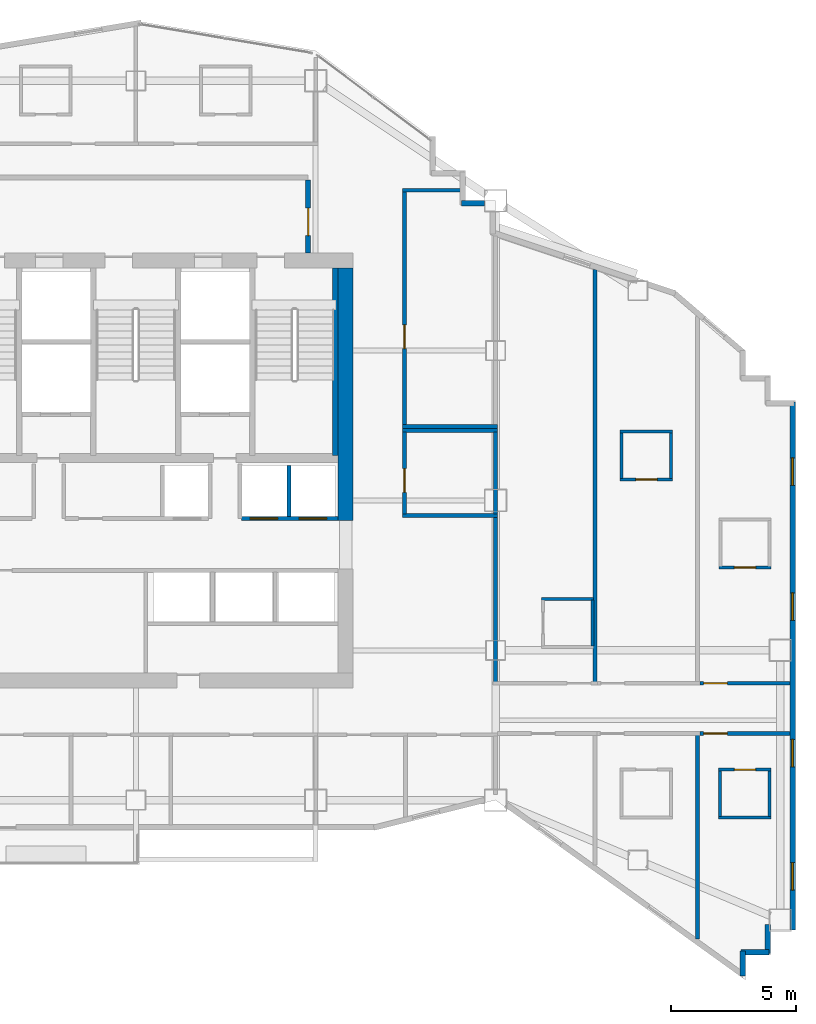
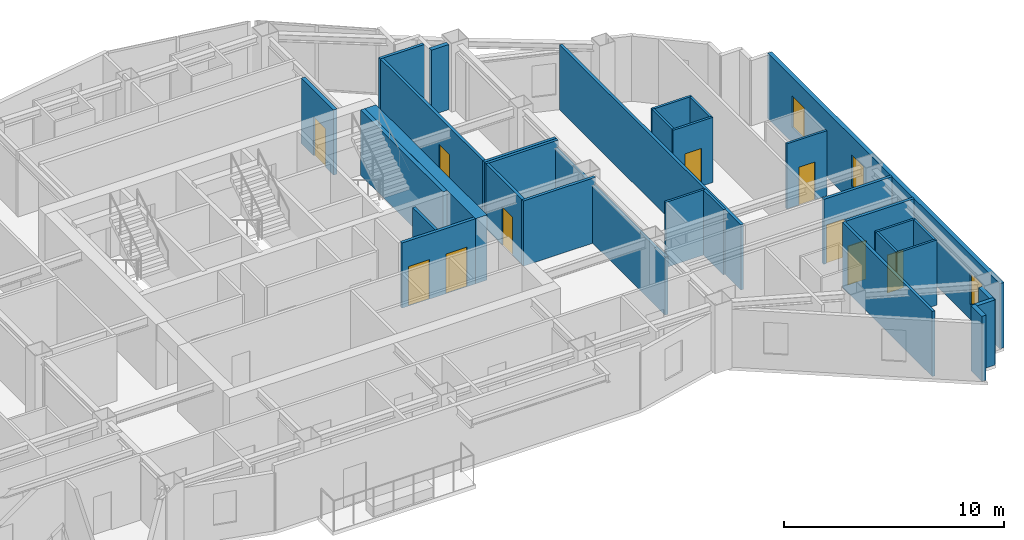
# One storey, part 8 of 12: 33 walls, 10 doors, 4 windows, 14 openings.
"""IFC4 building model written with IfcOpenShell, lengths in metres."""

from ifc_helpers import new_model, si_unit, direction, frame, frame_2d, origin, place, context, subcontext, project, spatial, rectangle, extrude, material, layer, layer_set, type_object, element, fill, save


model = new_model("IFC4")

# Units and contexts
model_context = context("Model", 3, precision=1e-05, world=origin(), true_north=direction((0.0, 1.0)))
body_context = subcontext(model_context, "Body", "Model", "MODEL_VIEW")
ifc_project = project(units=[si_unit("LENGTHUNIT", "METRE"), si_unit("AREAUNIT", "SQUARE_METRE"), si_unit("VOLUMEUNIT", "CUBIC_METRE"), si_unit("PLANEANGLEUNIT", "RADIAN"), si_unit("MASSUNIT", "GRAM", prefix="KILO")], contexts=[model_context])

# Site, building, storey
site_placement = place(None, origin())
site = spatial("IfcSite", under=ifc_project, at=site_placement, CompositionType="ELEMENT")
building_placement = place(site_placement, origin())
building = spatial("IfcBuilding", under=site, at=building_placement, Name="Haolan Belvedere Tower", CompositionType="ELEMENT")
storey_placement = place(building_placement, frame((0.0, 0.0, 195.60009765625)))
storey = spatial("IfcBuildingStorey", under=building, at=storey_placement, Name="L49", CompositionType="ELEMENT", Elevation=195.60009765625)

# Walls
ifc_material_1 = material(Name="Concrete C60/75", Category="concrete")
ifc_layer_1 = layer(ifc_material_1, 0.60009765625, Name="Concrete C60/75")
ifc_layer_set_1 = layer_set([ifc_layer_1], Name="Concrete C60/75")
wall_type_1 = type_object("IfcWallType", Name="WL-CORE-600", PredefinedType="SHEAR", material=ifc_layer_set_1)
wall_1_placement = place(storey_placement, frame((46.800048828125, 32.800048828125, 0.0), z_axis=(0.0, 0.0, 1.0), x_axis=(0.0, 1.0, 0.0)))
element("IfcWall", 1, at=wall_1_placement, inside=storey, type_object=wall_type_1, Name="L49 central core shear wall EN", PredefinedType="SHEAR", context=body_context, shape_type="SweptSolid", body=[
    extrude(rectangle(XDim=10.099853515625, YDim=0.60009765625, at=frame_2d((5.0498046875, 0.0))), origin(), (0.0, 0.0, 1.0), 3.619873046875),
])
ifc_material_2 = material(Name="Precast concrete C40/50", Category="concrete")
ifc_layer_2 = layer(ifc_material_2, 0.219970703125, Name="Precast concrete C40/50")
ifc_layer_set_2 = layer_set([ifc_layer_2], Name="Precast concrete C40/50")
wall_type_2 = type_object("IfcWallType", Name="WL-EXT-220", PredefinedType="SOLIDWALL", material=ifc_layer_set_2)
wall_2_placement = place(storey_placement, frame((62.68994140625, 14.559814453125, 0.0), z_axis=(0.0, 0.0, 1.0), x_axis=(0.0, 1.0, 0.0)))
element("IfcWall", 2, at=wall_2_placement, inside=storey, type_object=wall_type_2, Name="L49 pale-metal exterior spandrel wall 4.1", PredefinedType="SOLIDWALL", context=body_context, shape_type="SweptSolid", body=[
    extrude(rectangle(XDim=1.005126953125, YDim=0.219970703125, at=frame_2d((0.50244140625, 0.0))), origin(), (0.0, 0.0, 1.0), 3.619873046875),
])
wall_3_placement = place(storey_placement, frame((62.635009765625, 15.510009765625, 0.0), z_axis=(0.0, 0.0, 1.0), x_axis=(1.0, 0.0, 0.0)))
element("IfcWall", 3, at=wall_3_placement, inside=storey, type_object=wall_type_2, Name="L49 pale-metal exterior spandrel wall 5.1", PredefinedType="SOLIDWALL", context=body_context, shape_type="SweptSolid", body=[
    extrude(rectangle(XDim=1.110107421875, YDim=0.219970703125, at=frame_2d((0.55517578125, 0.0))), origin(), (0.0, 0.0, 1.0), 3.619873046875),
])
wall_4_placement = place(storey_placement, frame((63.68994140625, 15.455078125, 0.0), z_axis=(0.0, 0.0, 1.0), x_axis=(0.0, 1.0, 0.0)))
element("IfcWall", 4, at=wall_4_placement, inside=storey, type_object=wall_type_2, Name="L49 pale-metal exterior spandrel wall 6.1", PredefinedType="SOLIDWALL", context=body_context, shape_type="SweptSolid", body=[
    extrude(rectangle(XDim=1.1650390625, YDim=0.219970703125, at=frame_2d((0.58251953125, 0.0))), origin(), (0.0, 0.0, 1.0), 3.619873046875),
])

# Wall, openings, windows
wall_5_placement = place(storey_placement, frame((64.68994140625, 16.39990234375, 0.0), z_axis=(0.0, 0.0, 1.0), x_axis=(0.0, 1.0, 0.0)))
wall_5 = element("IfcWall", 5, at=wall_5_placement, inside=storey, type_object=wall_type_2, Name="L49 pale-metal exterior spandrel wall 8.1", PredefinedType="SOLIDWALL", context=body_context, shape_type="SweptSolid", body=[
    extrude(rectangle(XDim=21.14501953125, YDim=0.219970703125, at=frame_2d((10.572509765625, 0.0))), origin(), (0.0, 0.0, 1.0), 3.619873046875),
])
opening_1_placement = place(wall_5_placement, frame((1.60009765625, 0.0, 0.85009765625)))
opening_1 = element("IfcOpeningElement", 6, at=opening_1_placement, cuts=wall_5, Name="Opening W-03", PredefinedType="OPENING", context=body_context, shape_type="SweptSolid", body=[
    extrude(rectangle(XDim=1.10009765625, YDim=1.75, at=frame_2d((0.550048828125, 0.875))), frame((0.0, 0.119873046875, 0.0), z_axis=(0.0, -1.0, 0.0), x_axis=(1.0, 0.0, 0.0)), (0.0, 0.0, 1.0), 0.239990234375),
])
opening_2_placement = place(wall_5_placement, frame((6.534912109375, 0.0, 0.85009765625)))
opening_2 = element("IfcOpeningElement", 7, at=opening_2_placement, cuts=wall_5, Name="Opening W-03", PredefinedType="OPENING", context=body_context, shape_type="SweptSolid", body=[
    extrude(rectangle(XDim=1.10009765625, YDim=1.75, at=frame_2d((0.550048828125, 0.875))), frame((0.0, 0.119873046875, 0.0), z_axis=(0.0, -1.0, 0.0), x_axis=(1.0, 0.0, 0.0)), (0.0, 0.0, 1.0), 0.239990234375),
])
opening_3_placement = place(wall_5_placement, frame((12.39990234375, 0.0, 0.85009765625)))
opening_3 = element("IfcOpeningElement", 8, at=opening_3_placement, cuts=wall_5, Name="Opening W-03", PredefinedType="OPENING", context=body_context, shape_type="SweptSolid", body=[
    extrude(rectangle(XDim=1.10009765625, YDim=1.75, at=frame_2d((0.550048828125, 0.875))), frame((0.0, 0.119873046875, 0.0), z_axis=(0.0, -1.0, 0.0), x_axis=(1.0, 0.0, 0.0)), (0.0, 0.0, 1.0), 0.239990234375),
])
opening_4_placement = place(wall_5_placement, frame((17.800048828125, 0.0, 0.85009765625)))
opening_4 = element("IfcOpeningElement", 9, at=opening_4_placement, cuts=wall_5, Name="Opening W-03", PredefinedType="OPENING", context=body_context, shape_type="SweptSolid", body=[
    extrude(rectangle(XDim=1.10009765625, YDim=1.75, at=frame_2d((0.550048828125, 0.875))), frame((0.0, 0.119873046875, 0.0), z_axis=(0.0, -1.0, 0.0), x_axis=(1.0, 0.0, 0.0)), (0.0, 0.0, 1.0), 0.239990234375),
])
ifc_material_3 = material(Name="Anodised aluminium 6063-T6 and Low-E glass", Category="aluminium")
window_type = type_object("IfcWindowType", Name="WN-DECO-Z3", PartitioningType="SINGLE_PANEL", PredefinedType="WINDOW", material=ifc_material_3)
window_1_placement = place(opening_1_placement, origin())
window_1 = element("IfcWindow", 10, at=window_1_placement, inside=storey, type_object=window_type, Name="L49 Art Deco chevron window 1", OverallHeight=1.75, OverallWidth=1.10009765625, PartitioningType="SINGLE_PANEL", PredefinedType="WINDOW", context=body_context, shape_type="SweptSolid", body=[
    extrude(rectangle(XDim=1.10009765625, YDim=1.75, at=frame_2d((0.550048828125, 0.875))), frame((0.0, 0.030029296875, 0.0), z_axis=(0.0, -1.0, 0.0), x_axis=(1.0, 0.0, 0.0)), (0.0, 0.0, 1.0), 0.06005859375),
])
fill(opening_1, window_1)
window_2_placement = place(opening_2_placement, origin())
window_2 = element("IfcWindow", 11, at=window_2_placement, inside=storey, type_object=window_type, Name="L49 Art Deco chevron window 2", OverallHeight=1.75, OverallWidth=1.10009765625, PartitioningType="SINGLE_PANEL", PredefinedType="WINDOW", context=body_context, shape_type="SweptSolid", body=[
    extrude(rectangle(XDim=1.10009765625, YDim=1.75, at=frame_2d((0.550048828125, 0.875))), frame((0.0, 0.030029296875, 0.0), z_axis=(0.0, -1.0, 0.0), x_axis=(1.0, 0.0, 0.0)), (0.0, 0.0, 1.0), 0.06005859375),
])
fill(opening_2, window_2)
window_3_placement = place(opening_3_placement, origin())
window_3 = element("IfcWindow", 12, at=window_3_placement, inside=storey, type_object=window_type, Name="L49 Art Deco chevron window 3", OverallHeight=1.75, OverallWidth=1.10009765625, PartitioningType="SINGLE_PANEL", PredefinedType="WINDOW", context=body_context, shape_type="SweptSolid", body=[
    extrude(rectangle(XDim=1.10009765625, YDim=1.75, at=frame_2d((0.550048828125, 0.875))), frame((0.0, 0.030029296875, 0.0), z_axis=(0.0, -1.0, 0.0), x_axis=(1.0, 0.0, 0.0)), (0.0, 0.0, 1.0), 0.06005859375),
])
fill(opening_3, window_3)
window_4_placement = place(opening_4_placement, origin())
window_4 = element("IfcWindow", 13, at=window_4_placement, inside=storey, type_object=window_type, Name="L49 Art Deco chevron window 4", OverallHeight=1.75, OverallWidth=1.10009765625, PartitioningType="SINGLE_PANEL", PredefinedType="WINDOW", context=body_context, shape_type="SweptSolid", body=[
    extrude(rectangle(XDim=1.10009765625, YDim=1.75, at=frame_2d((0.550048828125, 0.875))), frame((0.0, 0.030029296875, 0.0), z_axis=(0.0, -1.0, 0.0), x_axis=(1.0, 0.0, 0.0)), (0.0, 0.0, 1.0), 0.06005859375),
])
fill(opening_4, window_4)

# Wall
wall_6_placement = place(storey_placement, frame((52.35791015625, 45.489990234375, 0.0), z_axis=(0.0, 0.0, 1.0), x_axis=(-1.0, 0.0, 0.0)))
element("IfcWall", 14, at=wall_6_placement, inside=storey, type_object=wall_type_2, Name="L49 pale-metal exterior spandrel wall 16.1", PredefinedType="SOLIDWALL", context=body_context, shape_type="SweptSolid", body=[
    extrude(rectangle(XDim=0.9228515625, YDim=0.219970703125, at=frame_2d((0.46142578125, 0.0))), origin(), (0.0, 0.0, 1.0), 3.619873046875),
])

# Wall, opening, door
ifc_material_4 = material(Name="Concrete C40/50", Category="concrete")
ifc_layer_3 = layer(ifc_material_4, 0.199951171875, Name="Concrete C40/50")
ifc_layer_set_3 = layer_set([ifc_layer_3], Name="Concrete C40/50")
wall_type_3 = type_object("IfcWallType", Name="WL-FIRE-200", PredefinedType="SOLIDWALL", material=ifc_layer_set_3)
wall_7_placement = place(storey_placement, frame((45.300048828125, 43.5, 0.0), z_axis=(0.0, 0.0, 1.0), x_axis=(0.0, 1.0, 0.0)))
wall_7 = element("IfcWall", 15, at=wall_7_placement, inside=storey, type_object=wall_type_3, Name="L49 interior partition IW-L49-FFL-E", PredefinedType="SOLIDWALL", context=body_context, shape_type="SweptSolid", body=[
    extrude(rectangle(XDim=2.93505859375, YDim=0.199951171875, at=frame_2d((1.467529296875, 0.0))), origin(), (0.0, 0.0, 1.0), 3.619873046875),
])
opening_5_placement = place(wall_7_placement, frame((0.699951171875, 0.0, 0.0)))
opening_5 = element("IfcOpeningElement", 16, at=opening_5_placement, cuts=wall_7, Name="Opening FD-03", PredefinedType="OPENING", context=body_context, shape_type="SweptSolid", body=[
    extrude(rectangle(XDim=1.10009765625, YDim=2.14990234375, at=frame_2d((0.550048828125, 1.074951171875))), frame((0.0, 0.10986328125, 0.0), z_axis=(0.0, -1.0, 0.0), x_axis=(1.0, 0.0, 0.0)), (0.0, 0.0, 1.0), 0.219970703125),
])
ifc_material_5 = material(Name="Galvanised fire-rated steel", Category="steel")
door_type_1 = type_object("IfcDoorType", Name="DR-FD90-1100", OperationType="NOTDEFINED", PredefinedType="DOOR", material=ifc_material_5)
door_1_placement = place(opening_5_placement, origin())
door_1 = element("IfcDoor", 17, at=door_1_placement, inside=storey, type_object=door_type_1, Name="L49 door ID-L49-FFL-DE", OperationType="SINGLE_SWING_RIGHT", OverallHeight=2.14990234375, OverallWidth=1.10009765625, PredefinedType="DOOR", context=body_context, shape_type="SweptSolid", body=[
    extrude(rectangle(XDim=1.10009765625, YDim=2.14990234375, at=frame_2d((0.550048828125, 1.074951171875))), frame((0.0, 0.02490234375, 0.0), z_axis=(0.0, -1.0, 0.0), x_axis=(1.0, 0.0, 0.0)), (0.0, 0.0, 1.0), 0.050048828125),
])
fill(opening_5, door_1)

# Walls
ifc_material_6 = material(Name="Double gypsum acoustic stud partition", Category="masonry")
ifc_layer_4 = layer(ifc_material_6, 0.14990234375, Name="Double gypsum acoustic stud partition")
ifc_layer_set_4 = layer_set([ifc_layer_4], Name="Double gypsum acoustic stud partition")
wall_type_4 = type_object("IfcWallType", Name="WL-PART-150", PredefinedType="PARTITIONING", material=ifc_layer_set_4)
for number, where, z_axis, x_axis, name in (
    (18, (49.080078125, 36.39990234375, 0.0), (0.0, 0.0, 1.0), (1.0, 0.0, 0.0), "L49 interior partition IW-L49-AWC-N"),
    (19, (49.080078125, 33.0, 0.0), (0.0, 0.0, 1.0), (1.0, 0.0, 0.0), "L49 interior partition IW-L49-AWC-S"),
):
    element("IfcWall", number, at=place(storey_placement, frame(where, z_axis=z_axis, x_axis=x_axis)), inside=storey, type_object=wall_type_4, Name=name, PredefinedType="PARTITIONING", context=body_context, shape_type="SweptSolid", body=[
        extrude(rectangle(XDim=3.7998046875, YDim=0.14990234375, at=frame_2d((1.89990234375, 0.0))), origin(), (0.0, 0.0, 1.0), 3.619873046875),
    ])

# Wall, opening, door
wall_8_placement = place(storey_placement, frame((49.159912109375, 33.06005859375, 0.0), z_axis=(0.0, 0.0, 1.0), x_axis=(0.0, 1.0, 0.0)))
wall_8 = element("IfcWall", 20, at=wall_8_placement, inside=storey, type_object=wall_type_4, Name="L49 interior partition IW-L49-AWC-W", PredefinedType="PARTITIONING", context=body_context, shape_type="SweptSolid", body=[
    extrude(rectangle(XDim=3.280029296875, YDim=0.14990234375, at=frame_2d((1.64013671875, 0.0))), origin(), (0.0, 0.0, 1.0), 3.619873046875),
])
opening_6_placement = place(wall_8_placement, frame((0.860107421875, 0.0, 0.0)))
opening_6 = element("IfcOpeningElement", 21, at=opening_6_placement, cuts=wall_8, Name="Opening ID-03", PredefinedType="OPENING", context=body_context, shape_type="SweptSolid", body=[
    extrude(rectangle(XDim=0.949951171875, YDim=2.1201171875, at=frame_2d((0.47509765625, 1.06005859375))), frame((0.0, 0.0849609375, 0.0), z_axis=(0.0, -1.0, 0.0), x_axis=(1.0, 0.0, 0.0)), (0.0, 0.0, 1.0), 0.169921875),
])
ifc_material_7 = material(Name="Painted solid-core timber", Category="wood")
door_type_2 = type_object("IfcDoorType", Name="DR-INT-950", OperationType="NOTDEFINED", PredefinedType="DOOR", material=ifc_material_7)
door_2_placement = place(opening_6_placement, origin())
door_2 = element("IfcDoor", 22, at=door_2_placement, inside=storey, type_object=door_type_2, Name="L49 door ID-L49-AWC", OperationType="SINGLE_SWING_RIGHT", OverallHeight=2.1201171875, OverallWidth=0.949951171875, PredefinedType="DOOR", context=body_context, shape_type="SweptSolid", body=[
    extrude(rectangle(XDim=0.949951171875, YDim=2.1201171875, at=frame_2d((0.47509765625, 1.06005859375))), frame((0.0, 0.02490234375, 0.0), z_axis=(0.0, -1.0, 0.0), x_axis=(1.0, 0.0, 0.0)), (0.0, 0.0, 1.0), 0.050048828125),
])
fill(opening_6, door_2)

# Walls
wall_9_placement = place(storey_placement, frame((52.800048828125, 33.06005859375, 0.0), z_axis=(0.0, 0.0, 1.0), x_axis=(0.0, 1.0, 0.0)))
element("IfcWall", 23, at=wall_9_placement, inside=storey, type_object=wall_type_4, Name="L49 interior partition IW-L49-AWC-E", PredefinedType="PARTITIONING", context=body_context, shape_type="SweptSolid", body=[
    extrude(rectangle(XDim=3.280029296875, YDim=0.14990234375, at=frame_2d((1.64013671875, 0.0))), origin(), (0.0, 0.0, 1.0), 3.21484375),
])
wall_10_placement = place(storey_placement, frame((49.080078125, 46.02001953125, 0.0), z_axis=(0.0, 0.0, 1.0), x_axis=(1.0, 0.0, 0.0)))
element("IfcWall", 24, at=wall_10_placement, inside=storey, type_object=wall_type_4, Name="L49 interior partition IW-L49-SAL-N", PredefinedType="PARTITIONING", context=body_context, shape_type="SweptSolid", body=[
    extrude(rectangle(XDim=2.307861328125, YDim=0.14990234375, at=frame_2d((1.15380859375, 0.0))), origin(), (0.0, 0.0, 1.0), 3.619873046875),
])
wall_11_placement = place(storey_placement, frame((49.080078125, 36.56005859375, 0.0), z_axis=(0.0, 0.0, 1.0), x_axis=(1.0, 0.0, 0.0)))
element("IfcWall", 25, at=wall_11_placement, inside=storey, type_object=wall_type_4, Name="L49 interior partition IW-L49-SAL-S", PredefinedType="PARTITIONING", context=body_context, shape_type="SweptSolid", body=[
    extrude(rectangle(XDim=3.7998046875, YDim=0.14990234375, at=frame_2d((1.89990234375, 0.0))), origin(), (0.0, 0.0, 1.0), 3.619873046875),
])

# Wall, opening, door
wall_12_placement = place(storey_placement, frame((49.159912109375, 36.6201171875, 0.0), z_axis=(0.0, 0.0, 1.0), x_axis=(0.0, 1.0, 0.0)))
wall_12 = element("IfcWall", 26, at=wall_12_placement, inside=storey, type_object=wall_type_4, Name="L49 interior partition IW-L49-SAL-W", PredefinedType="PARTITIONING", context=body_context, shape_type="SweptSolid", body=[
    extrude(rectangle(XDim=9.33984375, YDim=0.14990234375, at=frame_2d((4.669921875, 0.0))), origin(), (0.0, 0.0, 1.0), 3.619873046875),
])
opening_7_placement = place(wall_12_placement, frame((3.06005859375, 0.0, 0.0)))
opening_7 = element("IfcOpeningElement", 27, at=opening_7_placement, cuts=wall_12, Name="Opening ID-03", PredefinedType="OPENING", context=body_context, shape_type="SweptSolid", body=[
    extrude(rectangle(XDim=0.949951171875, YDim=2.1201171875, at=frame_2d((0.47509765625, 1.06005859375))), frame((0.0, 0.0849609375, 0.0), z_axis=(0.0, -1.0, 0.0), x_axis=(1.0, 0.0, 0.0)), (0.0, 0.0, 1.0), 0.169921875),
])
door_3_placement = place(opening_7_placement, origin())
door_3 = element("IfcDoor", 28, at=door_3_placement, inside=storey, type_object=door_type_2, Name="L49 door ID-L49-SAL", OperationType="SINGLE_SWING_LEFT", OverallHeight=2.1201171875, OverallWidth=0.949951171875, PredefinedType="DOOR", context=body_context, shape_type="SweptSolid", body=[
    extrude(rectangle(XDim=0.949951171875, YDim=2.1201171875, at=frame_2d((0.47509765625, 1.06005859375))), frame((0.0, 0.02490234375, 0.0), z_axis=(0.0, -1.0, 0.0), x_axis=(1.0, 0.0, 0.0)), (0.0, 0.0, 1.0), 0.050048828125),
])
fill(opening_7, door_3)

# Walls
wall_13_placement = place(storey_placement, frame((52.800048828125, 26.340087890625, 0.0), z_axis=(0.0, 0.0, 1.0), x_axis=(0.0, 1.0, 0.0)))
element("IfcWall", 29, at=wall_13_placement, inside=storey, type_object=wall_type_4, Name="L49 interior partition IW-L49-T4N1-W", PredefinedType="PARTITIONING", context=body_context, shape_type="SweptSolid", body=[
    extrude(rectangle(XDim=6.599853515625, YDim=0.14990234375, at=frame_2d((3.2998046875, 0.0))), origin(), (0.0, 0.0, 1.0), 3.21484375),
])
wall_14_placement = place(storey_placement, frame((56.780029296875, 26.340087890625, 0.0), z_axis=(0.0, 0.0, 1.0), x_axis=(0.0, 1.0, 0.0)))
element("IfcWall", 30, at=wall_14_placement, inside=storey, type_object=wall_type_4, Name="L49 interior partition IW-L49-T4N1-E", PredefinedType="PARTITIONING", context=body_context, shape_type="SweptSolid", body=[
    extrude(rectangle(XDim=16.509765625, YDim=0.14990234375, at=frame_2d((8.2548828125, 0.0))), origin(), (0.0, 0.0, 1.0), 3.619873046875),
])

# Wall, opening, door
wall_15_placement = place(storey_placement, frame((60.991943359375, 26.280029296875, 0.0), z_axis=(0.0, 0.0, 1.0), x_axis=(1.0, 0.0, 0.0)))
wall_15 = element("IfcWall", 31, at=wall_15_placement, inside=storey, type_object=wall_type_4, Name="L49 interior partition IW-L49-T4N3-S", PredefinedType="PARTITIONING", context=body_context, shape_type="SweptSolid", body=[
    extrude(rectangle(XDim=3.595947265625, YDim=0.14990234375, at=frame_2d((1.7978515625, 0.0))), origin(), (0.0, 0.0, 1.0), 3.619873046875),
])
opening_8_placement = place(wall_15_placement, frame((0.139892578125, 0.0, 0.0)))
opening_8 = element("IfcOpeningElement", 32, at=opening_8_placement, cuts=wall_15, Name="Opening ID-02", PredefinedType="OPENING", context=body_context, shape_type="SweptSolid", body=[
    extrude(rectangle(XDim=0.949951171875, YDim=2.14990234375, at=frame_2d((0.47509765625, 1.074951171875))), frame((0.0, 0.0849609375, 0.0), z_axis=(0.0, -1.0, 0.0), x_axis=(1.0, 0.0, 0.0)), (0.0, 0.0, 1.0), 0.169921875),
])
ifc_material_8 = material(Name="Acoustic oak veneer fire-rated timber", Category="wood")
door_type_3 = type_object("IfcDoorType", Name="DR-GUEST-950", OperationType="NOTDEFINED", PredefinedType="DOOR", material=ifc_material_8)
door_4_placement = place(opening_8_placement, origin())
door_4 = element("IfcDoor", 33, at=door_4_placement, inside=storey, type_object=door_type_3, Name="L49 door ID-L49-T4N3-ENT", OperationType="SINGLE_SWING_RIGHT", OverallHeight=2.14990234375, OverallWidth=0.949951171875, PredefinedType="DOOR", context=body_context, shape_type="SweptSolid", body=[
    extrude(rectangle(XDim=0.949951171875, YDim=2.14990234375, at=frame_2d((0.47509765625, 1.074951171875))), frame((0.0, 0.02490234375, 0.0), z_axis=(0.0, -1.0, 0.0), x_axis=(1.0, 0.0, 0.0)), (0.0, 0.0, 1.0), 0.050048828125),
])
fill(opening_8, door_4)

# Wall
wall_16_placement = place(storey_placement, frame((60.889892578125, 16.036376953125, 0.0), z_axis=(0.0, 0.0, 1.0), x_axis=(0.0, 1.0, 0.0)))
element("IfcWall", 34, at=wall_16_placement, inside=storey, type_object=wall_type_4, Name="L49 interior partition IW-L49-T4S2-E", PredefinedType="PARTITIONING", context=body_context, shape_type="SweptSolid", body=[
    extrude(rectangle(XDim=8.173583984375, YDim=0.14990234375, at=frame_2d((4.0869140625, 0.0))), origin(), (0.0, 0.0, 1.0), 3.619873046875),
])

# Wall, opening, door
wall_17_placement = place(storey_placement, frame((60.991943359375, 24.27001953125, 0.0), z_axis=(0.0, 0.0, 1.0), x_axis=(1.0, 0.0, 0.0)))
wall_17 = element("IfcWall", 35, at=wall_17_placement, inside=storey, type_object=wall_type_4, Name="L49 interior partition IW-L49-T4S3-N", PredefinedType="PARTITIONING", context=body_context, shape_type="SweptSolid", body=[
    extrude(rectangle(XDim=3.595947265625, YDim=0.14990234375, at=frame_2d((1.7978515625, 0.0))), origin(), (0.0, 0.0, 1.0), 3.619873046875),
])
opening_9_placement = place(wall_17_placement, frame((1.08984375, 0.0, 0.0), z_axis=(0.0, 0.0, 1.0), x_axis=(-1.0, 0.0, 0.0)))
opening_9 = element("IfcOpeningElement", 36, at=opening_9_placement, cuts=wall_17, Name="Opening ID-02", PredefinedType="OPENING", context=body_context, shape_type="SweptSolid", body=[
    extrude(rectangle(XDim=0.949951171875, YDim=2.14990234375, at=frame_2d((0.47509765625, 1.074951171875))), frame((0.0, 0.0849609375, 0.0), z_axis=(0.0, -1.0, 0.0), x_axis=(1.0, 0.0, 0.0)), (0.0, 0.0, 1.0), 0.169921875),
])
door_5_placement = place(opening_9_placement, origin())
door_5 = element("IfcDoor", 37, at=door_5_placement, inside=storey, type_object=door_type_3, Name="L49 door ID-L49-T4S3-ENT", OperationType="SINGLE_SWING_LEFT", OverallHeight=2.14990234375, OverallWidth=0.949951171875, PredefinedType="DOOR", context=body_context, shape_type="SweptSolid", body=[
    extrude(rectangle(XDim=0.949951171875, YDim=2.14990234375, at=frame_2d((0.47509765625, 1.074951171875))), frame((0.0, 0.02490234375, 0.0), z_axis=(0.0, -1.0, 0.0), x_axis=(1.0, 0.0, 0.0)), (0.0, 0.0, 1.0), 0.050048828125),
])
fill(opening_9, door_5)

# Wall, openings, doors
ifc_material_9 = material(Name="Gypsum fire shaftwall assembly", Category="masonry")
ifc_layer_5 = layer(ifc_material_9, 0.1650390625, Name="Gypsum fire shaftwall assembly")
ifc_layer_set_5 = layer_set([ifc_layer_5], Name="Gypsum fire shaftwall assembly")
wall_type_5 = type_object("IfcWallType", Name="WL-SHAFT-160", PredefinedType="SOLIDWALL", material=ifc_layer_set_5)
wall_18_placement = place(storey_placement, frame((42.6298828125, 32.8798828125, 0.0), z_axis=(0.0, 0.0, 1.0), x_axis=(1.0, 0.0, 0.0)))
wall_18 = element("IfcWall", 38, at=wall_18_placement, inside=storey, type_object=wall_type_5, Name="L49 interior partition IW-L49-ROW-PN3", PredefinedType="SOLIDWALL", context=body_context, shape_type="SweptSolid", body=[
    extrude(rectangle(XDim=3.8701171875, YDim=0.159912109375, at=frame_2d((1.93505859375, 0.0))), origin(), (0.0, 0.0, 1.0), 3.619873046875),
])
opening_10_placement = place(wall_18_placement, frame((1.4501953125, 0.0, 0.0), z_axis=(0.0, 0.0, 1.0), x_axis=(-1.0, 0.0, 0.0)))
opening_10 = element("IfcOpeningElement", 39, at=opening_10_placement, cuts=wall_18, Name="Opening LD-01", PredefinedType="OPENING", context=body_context, shape_type="SweptSolid", body=[
    extrude(rectangle(XDim=1.10009765625, YDim=2.199951171875, at=frame_2d((0.550048828125, 1.10009765625))), frame((0.0, 0.08984375, 0.0), z_axis=(0.0, -1.0, 0.0), x_axis=(1.0, 0.0, 0.0)), (0.0, 0.0, 1.0), 0.179931640625),
])
opening_11_placement = place(wall_18_placement, frame((3.41015625, 0.0, 0.0), z_axis=(0.0, 0.0, 1.0), x_axis=(-1.0, 0.0, 0.0)))
opening_11 = element("IfcOpeningElement", 40, at=opening_11_placement, cuts=wall_18, Name="Opening LD-01", PredefinedType="OPENING", context=body_context, shape_type="SweptSolid", body=[
    extrude(rectangle(XDim=1.10009765625, YDim=2.199951171875, at=frame_2d((0.550048828125, 1.10009765625))), frame((0.0, 0.08984375, 0.0), z_axis=(0.0, -1.0, 0.0), x_axis=(1.0, 0.0, 0.0)), (0.0, 0.0, 1.0), 0.179931640625),
])
ifc_material_10 = material(Name="Brushed champagne stainless steel 316L", Category="steel")
door_type_4 = type_object("IfcDoorType", Name="DR-LIFT-1100", OperationType="SLIDING_TO_LEFT", PredefinedType="DOOR", material=ifc_material_10)
door_6_placement = place(opening_10_placement, origin())
door_6 = element("IfcDoor", 41, at=door_6_placement, inside=storey, type_object=door_type_4, Name="L49 door ID-L49-LD-PH2", OperationType="SLIDING_TO_RIGHT", OverallHeight=2.199951171875, OverallWidth=1.10009765625, PredefinedType="DOOR", context=body_context, shape_type="SweptSolid", body=[
    extrude(rectangle(XDim=1.10009765625, YDim=2.199951171875, at=frame_2d((0.550048828125, 1.10009765625))), frame((0.0, 0.02490234375, 0.0), z_axis=(0.0, -1.0, 0.0), x_axis=(1.0, 0.0, 0.0)), (0.0, 0.0, 1.0), 0.050048828125),
])
fill(opening_10, door_6)
door_7_placement = place(opening_11_placement, origin())
door_7 = element("IfcDoor", 42, at=door_7_placement, inside=storey, type_object=door_type_4, Name="L49 door ID-L49-LD-PH3", OperationType="SLIDING_TO_RIGHT", OverallHeight=2.199951171875, OverallWidth=1.10009765625, PredefinedType="DOOR", context=body_context, shape_type="SweptSolid", body=[
    extrude(rectangle(XDim=1.10009765625, YDim=2.199951171875, at=frame_2d((0.550048828125, 1.10009765625))), frame((0.0, 0.02490234375, 0.0), z_axis=(0.0, -1.0, 0.0), x_axis=(1.0, 0.0, 0.0)), (0.0, 0.0, 1.0), 0.050048828125),
])
fill(opening_11, door_7)

# Walls
wall_19_placement = place(storey_placement, frame((44.530029296875, 32.949951171875, 0.0), z_axis=(0.0, 0.0, 1.0), x_axis=(0.0, 1.0, 0.0)))
element("IfcWall", 43, at=wall_19_placement, inside=storey, type_object=wall_type_5, Name="L49 interior partition IW-L49-DIV-PH2", PredefinedType="SOLIDWALL", context=body_context, shape_type="SweptSolid", body=[
    extrude(rectangle(XDim=2.050048828125, YDim=0.14990234375, at=frame_2d((1.02490234375, 0.0))), origin(), (0.0, 0.0, 1.0), 3.619873046875),
])
ifc_material_11 = material(Name="Concrete C50/60", Category="concrete")
ifc_layer_6 = layer(ifc_material_11, 0.219970703125, Name="Concrete C50/60")
ifc_layer_set_6 = layer_set([ifc_layer_6], Name="Concrete C50/60")
wall_type_6 = type_object("IfcWallType", Name="WL-STAIR-220", PredefinedType="SHEAR", material=ifc_layer_set_6)
wall_20_placement = place(storey_placement, frame((46.387939453125, 35.389892578125, 0.0), z_axis=(0.0, 0.0, 1.0), x_axis=(0.0, 1.0, 0.0)))
element("IfcWall", 44, at=wall_20_placement, inside=storey, type_object=wall_type_6, Name="L49 structural stair core wall ST2E", PredefinedType="SHEAR", context=body_context, shape_type="SweptSolid", body=[
    extrude(rectangle(XDim=7.510009765625, YDim=0.219970703125, at=frame_2d((3.7548828125, 0.0))), origin(), (0.0, 0.0, 1.0), 3.619873046875),
])
ifc_material_12 = material(Name="Moisture-resistant gypsum tile partition", Category="masonry")
ifc_layer_7 = layer(ifc_material_12, 0.1201171875, Name="Moisture-resistant gypsum tile partition")
ifc_layer_set_7 = layer_set([ifc_layer_7], Name="Moisture-resistant gypsum tile partition")
wall_type_7 = type_object("IfcWallType", Name="WL-WET-120", PredefinedType="PARTITIONING", material=ifc_layer_set_7)
wall_21_placement = place(storey_placement, frame((54.639892578125, 29.64990234375, 0.0), z_axis=(0.0, 0.0, 1.0), x_axis=(1.0, 0.0, 0.0)))
element("IfcWall", 45, at=wall_21_placement, inside=storey, type_object=wall_type_7, Name="L49 interior partition IW-L49-T4N1-BN", PredefinedType="PARTITIONING", context=body_context, shape_type="SweptSolid", body=[
    extrude(rectangle(XDim=2.080078125, YDim=0.1201171875, at=frame_2d((1.0400390625, 0.0))), origin(), (0.0, 0.0, 1.0), 3.619873046875),
])
wall_22_placement = place(storey_placement, frame((56.679931640625, 27.77490234375, 0.0), z_axis=(0.0, 0.0, 1.0), x_axis=(0.0, 1.0, 0.0)))
element("IfcWall", 46, at=wall_22_placement, inside=storey, type_object=wall_type_7, Name="L49 interior partition IW-L49-T4N1-BE", PredefinedType="PARTITIONING", context=body_context, shape_type="SweptSolid", body=[
    extrude(rectangle(XDim=1.830078125, YDim=0.1201171875, at=frame_2d((0.9150390625, 0.0))), origin(), (0.0, 0.0, 1.0), 3.619873046875),
])
wall_23_placement = place(storey_placement, frame((57.7919921875, 36.35302734375, 0.0), z_axis=(0.0, 0.0, 1.0), x_axis=(1.0, 0.0, 0.0)))
element("IfcWall", 47, at=wall_23_placement, inside=storey, type_object=wall_type_7, Name="L49 interior partition IW-L49-T4N2-BN", PredefinedType="PARTITIONING", context=body_context, shape_type="SweptSolid", body=[
    extrude(rectangle(XDim=2.10009765625, YDim=0.1201171875, at=frame_2d((1.050048828125, 0.0))), origin(), (0.0, 0.0, 1.0), 3.619873046875),
])

# Wall, opening, door
wall_24_placement = place(storey_placement, frame((57.7919921875, 34.43310546875, 0.0), z_axis=(0.0, 0.0, 1.0), x_axis=(1.0, 0.0, 0.0)))
wall_24 = element("IfcWall", 48, at=wall_24_placement, inside=storey, type_object=wall_type_7, Name="L49 interior partition IW-L49-T4N2-BS", PredefinedType="PARTITIONING", context=body_context, shape_type="SweptSolid", body=[
    extrude(rectangle(XDim=2.10009765625, YDim=0.1201171875, at=frame_2d((1.050048828125, 0.0))), origin(), (0.0, 0.0, 1.0), 3.619873046875),
])
opening_12_placement = place(wall_24_placement, frame((0.625, 0.0, 0.0)))
opening_12 = element("IfcOpeningElement", 49, at=opening_12_placement, cuts=wall_24, Name="Opening ID-05", PredefinedType="OPENING", context=body_context, shape_type="SweptSolid", body=[
    extrude(rectangle(XDim=0.85009765625, YDim=2.10009765625, at=frame_2d((0.425048828125, 1.050048828125))), frame((0.0, 0.070068359375, 0.0), z_axis=(0.0, -1.0, 0.0), x_axis=(1.0, 0.0, 0.0)), (0.0, 0.0, 1.0), 0.14013671875),
])
ifc_material_13 = material(Name="Moisture-resistant lacquered timber", Category="wood")
door_type_5 = type_object("IfcDoorType", Name="DR-BATH-850", OperationType="NOTDEFINED", PredefinedType="DOOR", material=ifc_material_13)
door_8_placement = place(opening_12_placement, origin())
door_8 = element("IfcDoor", 50, at=door_8_placement, inside=storey, type_object=door_type_5, Name="L49 door ID-L49-T4N2-BATH", OperationType="SINGLE_SWING_RIGHT", OverallHeight=2.10009765625, OverallWidth=0.85009765625, PredefinedType="DOOR", context=body_context, shape_type="SweptSolid", body=[
    extrude(rectangle(XDim=0.85009765625, YDim=2.10009765625, at=frame_2d((0.425048828125, 1.050048828125))), frame((0.0, 0.02490234375, 0.0), z_axis=(0.0, -1.0, 0.0), x_axis=(1.0, 0.0, 0.0)), (0.0, 0.0, 1.0), 0.050048828125),
])
fill(opening_12, door_8)

# Walls
for number, where, z_axis, x_axis, name in (
    (51, (57.85205078125, 34.47802734375, 0.0), (0.0, 0.0, 1.0), (0.0, 1.0, 0.0), "L49 interior partition IW-L49-T4N2-BW"),
    (52, (59.83203125, 34.47802734375, 0.0), (0.0, 0.0, 1.0), (0.0, 1.0, 0.0), "L49 interior partition IW-L49-T4N2-BE"),
):
    element("IfcWall", number, at=place(storey_placement, frame(where, z_axis=z_axis, x_axis=x_axis)), inside=storey, type_object=wall_type_7, Name=name, PredefinedType="PARTITIONING", context=body_context, shape_type="SweptSolid", body=[
        extrude(rectangle(XDim=1.830078125, YDim=0.1201171875, at=frame_2d((0.9150390625, 0.0))), origin(), (0.0, 0.0, 1.0), 3.619873046875),
    ])

# Wall, opening, door
wall_25_placement = place(storey_placement, frame((61.737060546875, 30.9150390625, 0.0), z_axis=(0.0, 0.0, 1.0), x_axis=(1.0, 0.0, 0.0)))
wall_25 = element("IfcWall", 53, at=wall_25_placement, inside=storey, type_object=wall_type_7, Name="L49 interior partition IW-L49-T4N3-BS", PredefinedType="PARTITIONING", context=body_context, shape_type="SweptSolid", body=[
    extrude(rectangle(XDim=2.099853515625, YDim=0.1201171875, at=frame_2d((1.0498046875, 0.0))), origin(), (0.0, 0.0, 1.0), 3.619873046875),
])
opening_13_placement = place(wall_25_placement, frame((0.625, 0.0, 0.0)))
opening_13 = element("IfcOpeningElement", 54, at=opening_13_placement, cuts=wall_25, Name="Opening ID-05", PredefinedType="OPENING", context=body_context, shape_type="SweptSolid", body=[
    extrude(rectangle(XDim=0.85009765625, YDim=2.10009765625, at=frame_2d((0.425048828125, 1.050048828125))), frame((0.0, 0.070068359375, 0.0), z_axis=(0.0, -1.0, 0.0), x_axis=(1.0, 0.0, 0.0)), (0.0, 0.0, 1.0), 0.14013671875),
])
door_9_placement = place(opening_13_placement, origin())
door_9 = element("IfcDoor", 55, at=door_9_placement, inside=storey, type_object=door_type_5, Name="L49 door ID-L49-T4N3-BATH", OperationType="SINGLE_SWING_LEFT", OverallHeight=2.10009765625, OverallWidth=0.85009765625, PredefinedType="DOOR", context=body_context, shape_type="SweptSolid", body=[
    extrude(rectangle(XDim=0.85009765625, YDim=2.10009765625, at=frame_2d((0.425048828125, 1.050048828125))), frame((0.0, 0.02490234375, 0.0), z_axis=(0.0, -1.0, 0.0), x_axis=(1.0, 0.0, 0.0)), (0.0, 0.0, 1.0), 0.050048828125),
])
fill(opening_13, door_9)

wall_26_placement = place(storey_placement, frame((61.736083984375, 22.820068359375, 0.0), z_axis=(0.0, 0.0, 1.0), x_axis=(1.0, 0.0, 0.0)))
wall_26 = element("IfcWall", 56, at=wall_26_placement, inside=storey, type_object=wall_type_7, Name="L49 interior partition IW-L49-T4S3-BN", PredefinedType="PARTITIONING", context=body_context, shape_type="SweptSolid", body=[
    extrude(rectangle(XDim=2.099853515625, YDim=0.1201171875, at=frame_2d((1.0498046875, 0.0))), origin(), (0.0, 0.0, 1.0), 3.619873046875),
])
opening_14_placement = place(wall_26_placement, frame((1.47509765625, 0.0, 0.0), z_axis=(0.0, 0.0, 1.0), x_axis=(-1.0, 0.0, 0.0)))
opening_14 = element("IfcOpeningElement", 57, at=opening_14_placement, cuts=wall_26, Name="Opening ID-05", PredefinedType="OPENING", context=body_context, shape_type="SweptSolid", body=[
    extrude(rectangle(XDim=0.85009765625, YDim=2.10009765625, at=frame_2d((0.425048828125, 1.050048828125))), frame((0.0, 0.070068359375, 0.0), z_axis=(0.0, -1.0, 0.0), x_axis=(1.0, 0.0, 0.0)), (0.0, 0.0, 1.0), 0.14013671875),
])
door_10_placement = place(opening_14_placement, origin())
door_10 = element("IfcDoor", 58, at=door_10_placement, inside=storey, type_object=door_type_5, Name="L49 door ID-L49-T4S3-BATH", OperationType="SINGLE_SWING_RIGHT", OverallHeight=2.10009765625, OverallWidth=0.85009765625, PredefinedType="DOOR", context=body_context, shape_type="SweptSolid", body=[
    extrude(rectangle(XDim=0.85009765625, YDim=2.10009765625, at=frame_2d((0.425048828125, 1.050048828125))), frame((0.0, 0.02490234375, 0.0), z_axis=(0.0, -1.0, 0.0), x_axis=(1.0, 0.0, 0.0)), (0.0, 0.0, 1.0), 0.050048828125),
])
fill(opening_14, door_10)

# Walls
wall_27_placement = place(storey_placement, frame((61.736083984375, 20.89990234375, 0.0), z_axis=(0.0, 0.0, 1.0), x_axis=(1.0, 0.0, 0.0)))
element("IfcWall", 59, at=wall_27_placement, inside=storey, type_object=wall_type_7, Name="L49 interior partition IW-L49-T4S3-BS", PredefinedType="PARTITIONING", context=body_context, shape_type="SweptSolid", body=[
    extrude(rectangle(XDim=2.099853515625, YDim=0.1201171875, at=frame_2d((1.0498046875, 0.0))), origin(), (0.0, 0.0, 1.0), 3.619873046875),
])
for number, where, z_axis, x_axis, name in (
    (60, (61.7958984375, 20.945068359375, 0.0), (0.0, 0.0, 1.0), (0.0, 1.0, 0.0), "L49 interior partition IW-L49-T4S3-BW"),
    (61, (63.77587890625, 20.945068359375, 0.0), (0.0, 0.0, 1.0), (0.0, 1.0, 0.0), "L49 interior partition IW-L49-T4S3-BE"),
):
    element("IfcWall", number, at=place(storey_placement, frame(where, z_axis=z_axis, x_axis=x_axis)), inside=storey, type_object=wall_type_7, Name=name, PredefinedType="PARTITIONING", context=body_context, shape_type="SweptSolid", body=[
        extrude(rectangle(XDim=1.829833984375, YDim=0.1201171875, at=frame_2d((0.9150390625, 0.0))), origin(), (0.0, 0.0, 1.0), 3.619873046875),
    ])

save(model, "model.ifc")
